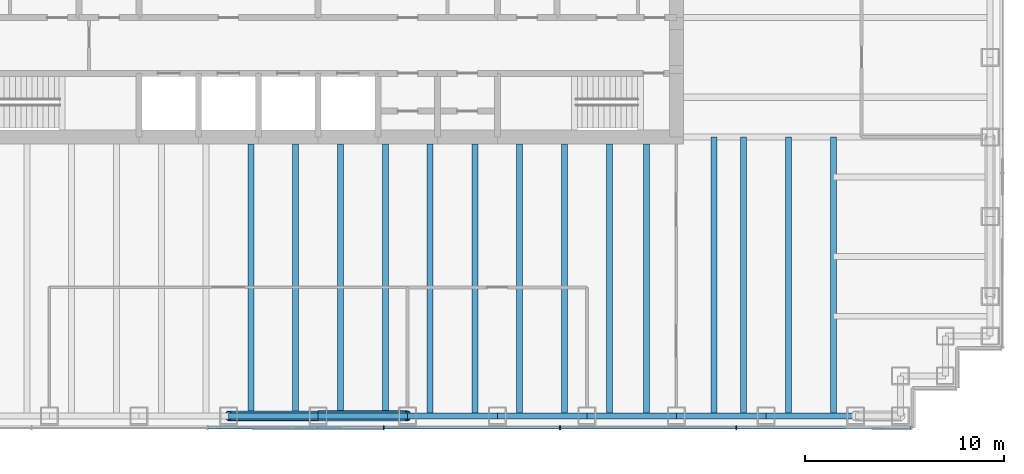
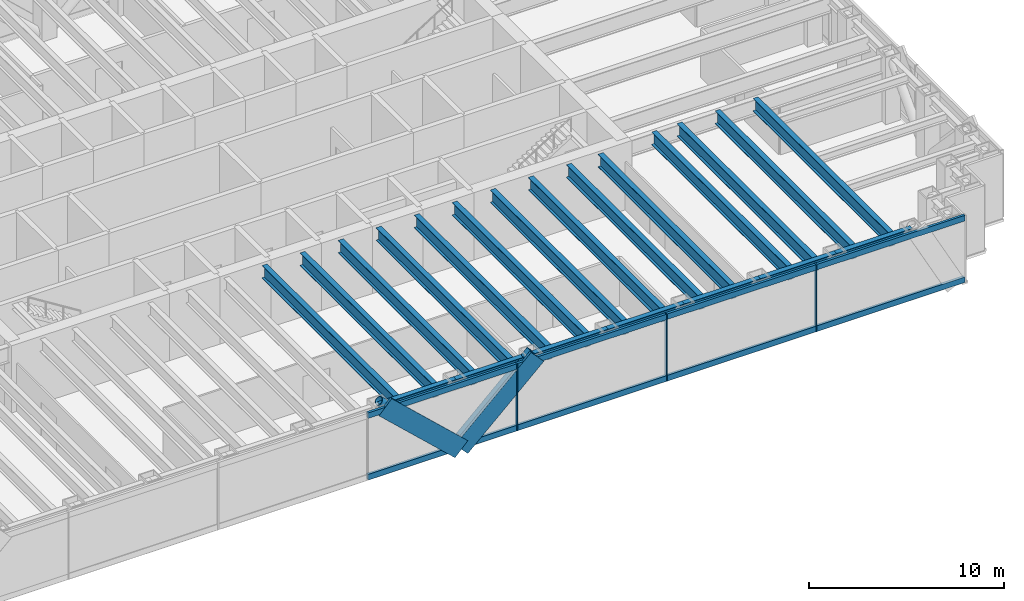
# One storey, part 4 of 17: 21 beams, 15 members, 1 element without a shape of its own.
"""IFC4 building model written with IfcOpenShell, lengths in metres."""

from ifc_helpers import new_model, si_unit, direction, frame, origin, origin_2d, place, context, subcontext, project, spatial, rectangle, hollow_circle, i_section, extrude, material, material_profile, profile_set, type_object, element, aggregate, save


model = new_model("IFC4")

# Units and contexts
model_context = context("Model", 3, precision=1e-05, world=origin(), true_north=direction((0.0, 1.0)))
body_context = subcontext(model_context, "Body", "Model", "MODEL_VIEW")
ifc_project = project(units=[si_unit("LENGTHUNIT", "METRE"), si_unit("AREAUNIT", "SQUARE_METRE"), si_unit("VOLUMEUNIT", "CUBIC_METRE"), si_unit("PLANEANGLEUNIT", "RADIAN"), si_unit("MASSUNIT", "GRAM", prefix="KILO")], contexts=[model_context])

# Site, building, storey
site_placement = place(None, origin())
site = spatial("IfcSite", under=ifc_project, at=site_placement, CompositionType="ELEMENT")
building_placement = place(site_placement, origin())
building = spatial("IfcBuilding", under=site, at=building_placement, Name="Rheinbord Bourse Tower", CompositionType="ELEMENT")
storey_placement = place(building_placement, frame((0.0, 0.0, 304.699951171875)))
storey = spatial("IfcBuildingStorey", under=building, at=storey_placement, Name="L69", CompositionType="ELEMENT", Elevation=304.699951171875)

# Curtain wall, members
ifc_material_1 = material(Name="Dark glass and black aluminium", Category="aluminium")
curtain_wall_type = type_object("IfcCurtainWallType", Name="CW3 DARK GLASS CURTAIN WALL", PredefinedType="USERDEFINED", material=ifc_material_1)
curtain_wall_placement = place(storey_placement, origin())
curtain_wall = element("IfcCurtainWall", 1, at=curtain_wall_placement, inside=storey, type_object=curtain_wall_type, Name="Curtain wall CW3 S L69", ObjectType="UNITISED CURTAIN WALL", PredefinedType="USERDEFINED")
ifc_material_2 = material(Name="Black anodised aluminium", Category="aluminium")
ifc_material_profile_1 = material_profile(ifc_material_2, rectangle(XDim=0.14990234375, YDim=1.10791015625, at=origin_2d()), Name="CW3 DIAGONAL MULLION 1108x150")
ifc_profile_set_1 = profile_set([ifc_material_profile_1], Name="Black anodised aluminium")
member_type_1 = type_object("IfcMemberType", Name="CW3 BLACK DIAGONAL MULLION", PredefinedType="USERDEFINED", material=ifc_profile_set_1)
member_1_placement = place(storey_placement, frame((36.0, 1.39990234375, 0.0), z_axis=(-0.73105922506, 0.0, 0.682314010889), x_axis=(0.0, -1.0, 0.0)))
member_1 = element("IfcMember", 2, at=member_1_placement, type_object=member_type_1, Name="CW3 diagonal mullion c", ObjectType="DIAGONAL MULLION", PredefinedType="USERDEFINED", context=body_context, shape_type="SweptSolid", body=[
    extrude(rectangle(XDim=0.14990234375, YDim=1.10791015625, at=origin_2d()), origin(), (0.0, 0.0, 1.0), 6.155517578125),
])
member_2_placement = place(storey_placement, frame((36.0, 1.39990234375, 0.0), z_axis=(0.73105922506, 0.0, 0.682314010889), x_axis=(0.0, 1.0, 0.0)))
member_2 = element("IfcMember", 3, at=member_2_placement, type_object=member_type_1, Name="CW3 diagonal mullion d", ObjectType="DIAGONAL MULLION", PredefinedType="USERDEFINED", context=body_context, shape_type="SweptSolid", body=[
    extrude(rectangle(XDim=0.14990234375, YDim=1.10791015625, at=origin_2d()), origin(), (0.0, 0.0, 1.0), 6.155517578125),
])
ifc_material_3 = material(Name="Black anodised aluminium", Category="aluminium")
ifc_material_profile_2 = material_profile(ifc_material_3, rectangle(XDim=0.199951171875, YDim=0.06494140625, at=origin_2d()), Name="CW3 MULLION 65x200")
ifc_profile_set_2 = profile_set([ifc_material_profile_2], Name="Black anodised aluminium")
member_type_2 = type_object("IfcMemberType", Name="CW3 BLACK MULLION", PredefinedType="MULLION", material=ifc_profile_set_2)
member_3_placement = place(storey_placement, frame((39.300048828125, 1.39990234375, 0.0), z_axis=(0.0, 0.0, 1.0), x_axis=(0.0, 1.0, 0.0)))
member_3 = element("IfcMember", 4, at=member_3_placement, type_object=member_type_2, Name="CW3 mullion 5", PredefinedType="MULLION", context=body_context, shape_type="SweptSolid", body=[
    extrude(rectangle(XDim=0.199951171875, YDim=0.06494140625, at=origin_2d()), origin(), (0.0, 0.0, 1.0), 4.199951171875),
])
member_4_placement = place(storey_placement, frame((48.14990234375, 1.39990234375, 0.0), z_axis=(0.0, 0.0, 1.0), x_axis=(0.0, 1.0, 0.0)))
member_4 = element("IfcMember", 5, at=member_4_placement, type_object=member_type_2, Name="CW3 mullion 6", PredefinedType="MULLION", context=body_context, shape_type="SweptSolid", body=[
    extrude(rectangle(XDim=0.199951171875, YDim=0.06494140625, at=origin_2d()), origin(), (0.0, 0.0, 1.0), 4.199951171875),
])
member_5_placement = place(storey_placement, frame((57.0, 1.39990234375, 0.0), z_axis=(0.0, 0.0, 1.0), x_axis=(0.0, 1.0, 0.0)))
member_5 = element("IfcMember", 6, at=member_5_placement, type_object=member_type_2, Name="CW3 mullion 7", PredefinedType="MULLION", context=body_context, shape_type="SweptSolid", body=[
    extrude(rectangle(XDim=0.199951171875, YDim=0.06494140625, at=origin_2d()), origin(), (0.0, 0.0, 1.0), 4.199951171875),
])
ifc_material_4 = material(Name="Black anodised aluminium", Category="aluminium")
ifc_material_profile_3 = material_profile(ifc_material_4, rectangle(XDim=0.14990234375, YDim=0.35009765625, at=origin_2d()), Name="CW3 TRANSOM 350x150")
ifc_profile_set_3 = profile_set([ifc_material_profile_3], Name="Black anodised aluminium")
member_type_3 = type_object("IfcMemberType", Name="CW3 BLACK TRANSOM", PredefinedType="USERDEFINED", material=ifc_profile_set_3)
member_6_placement = place(storey_placement, frame((30.482421875, 1.39990234375, 0.175048828125), z_axis=(1.0, 0.0, 0.0), x_axis=(0.0, 1.0, 0.0)))
member_6 = element("IfcMember", 7, at=member_6_placement, type_object=member_type_3, Name="CW3 transom 4.1", ObjectType="TRANSOM", PredefinedType="USERDEFINED", context=body_context, shape_type="SweptSolid", body=[
    extrude(rectangle(XDim=0.14990234375, YDim=0.35009765625, at=origin_2d()), origin(), (0.0, 0.0, 1.0), 8.78515625),
])
member_7_placement = place(storey_placement, frame((30.482421875, 1.39990234375, 4.025146484375), z_axis=(1.0, 0.0, 0.0), x_axis=(0.0, 1.0, 0.0)))
member_7 = element("IfcMember", 8, at=member_7_placement, type_object=member_type_3, Name="CW3 transom 4.2", ObjectType="TRANSOM", PredefinedType="USERDEFINED", context=body_context, shape_type="SweptSolid", body=[
    extrude(rectangle(XDim=0.14990234375, YDim=0.35009765625, at=origin_2d()), origin(), (0.0, 0.0, 1.0), 8.78515625),
])
member_8_placement = place(storey_placement, frame((39.33251953125, 1.39990234375, 0.175048828125), z_axis=(1.0, 0.0, 0.0), x_axis=(0.0, 1.0, 0.0)))
member_8 = element("IfcMember", 9, at=member_8_placement, type_object=member_type_3, Name="CW3 transom 5.1", ObjectType="TRANSOM", PredefinedType="USERDEFINED", context=body_context, shape_type="SweptSolid", body=[
    extrude(rectangle(XDim=0.14990234375, YDim=0.35009765625, at=origin_2d()), origin(), (0.0, 0.0, 1.0), 8.784912109375),
])
member_9_placement = place(storey_placement, frame((39.33251953125, 1.39990234375, 4.025146484375), z_axis=(1.0, 0.0, 0.0), x_axis=(0.0, 1.0, 0.0)))
member_9 = element("IfcMember", 10, at=member_9_placement, type_object=member_type_3, Name="CW3 transom 5.2", ObjectType="TRANSOM", PredefinedType="USERDEFINED", context=body_context, shape_type="SweptSolid", body=[
    extrude(rectangle(XDim=0.14990234375, YDim=0.35009765625, at=origin_2d()), origin(), (0.0, 0.0, 1.0), 8.784912109375),
])
member_10_placement = place(storey_placement, frame((48.1826171875, 1.39990234375, 0.175048828125), z_axis=(1.0, 0.0, 0.0), x_axis=(0.0, 1.0, 0.0)))
member_10 = element("IfcMember", 11, at=member_10_placement, type_object=member_type_3, Name="CW3 transom 6.1", ObjectType="TRANSOM", PredefinedType="USERDEFINED", context=body_context, shape_type="SweptSolid", body=[
    extrude(rectangle(XDim=0.14990234375, YDim=0.35009765625, at=origin_2d()), origin(), (0.0, 0.0, 1.0), 8.784912109375),
])
member_11_placement = place(storey_placement, frame((48.1826171875, 1.39990234375, 4.025146484375), z_axis=(1.0, 0.0, 0.0), x_axis=(0.0, 1.0, 0.0)))
member_11 = element("IfcMember", 12, at=member_11_placement, type_object=member_type_3, Name="CW3 transom 6.2", ObjectType="TRANSOM", PredefinedType="USERDEFINED", context=body_context, shape_type="SweptSolid", body=[
    extrude(rectangle(XDim=0.14990234375, YDim=0.35009765625, at=origin_2d()), origin(), (0.0, 0.0, 1.0), 8.784912109375),
])
member_12_placement = place(storey_placement, frame((57.032470703125, 1.39990234375, 0.175048828125), z_axis=(1.0, 0.0, 0.0), x_axis=(0.0, 1.0, 0.0)))
member_12 = element("IfcMember", 13, at=member_12_placement, type_object=member_type_3, Name="CW3 transom 7.1", ObjectType="TRANSOM", PredefinedType="USERDEFINED", context=body_context, shape_type="SweptSolid", body=[
    extrude(rectangle(XDim=0.14990234375, YDim=0.35009765625, at=origin_2d()), origin(), (0.0, 0.0, 1.0), 8.75244140625),
])
member_13_placement = place(storey_placement, frame((57.032470703125, 1.39990234375, 4.025146484375), z_axis=(1.0, 0.0, 0.0), x_axis=(0.0, 1.0, 0.0)))
member_13 = element("IfcMember", 14, at=member_13_placement, type_object=member_type_3, Name="CW3 transom 7.2", ObjectType="TRANSOM", PredefinedType="USERDEFINED", context=body_context, shape_type="SweptSolid", body=[
    extrude(rectangle(XDim=0.14990234375, YDim=0.35009765625, at=origin_2d()), origin(), (0.0, 0.0, 1.0), 8.75244140625),
])
aggregate(curtain_wall, [member_3, member_4, member_5, member_6, member_7, member_8, member_9, member_10, member_11, member_12, member_13, member_1, member_2])

# Beams
ifc_material_5 = material(Name="Steel S460", Category="steel")
ifc_material_profile_4 = material_profile(ifc_material_5, i_section(OverallWidth=0.300048828125, OverallDepth=0.800048828125, WebThickness=0.017578125, FlangeThickness=0.032958984375, at=origin_2d()), Name="HEB 800")
ifc_profile_set_4 = profile_set([ifc_material_profile_4], Name="Steel S460")
beam_type_1 = type_object("IfcBeamType", Name="FLOOR BEAM HEB 800", PredefinedType="BEAM", material=ifc_profile_set_4)
for number, where, z_axis, x_axis, name in (
    (15, (32.625, 2.0, 3.64013671875), (0.0, 1.0, 0.0), (-1.0, 0.0, 0.0), "Floor beam S-31.5a L70"),
    (16, (34.875, 2.0, 3.64013671875), (0.0, 1.0, 0.0), (-1.0, 0.0, 0.0), "Floor beam S-31.5b L70"),
    (17, (37.125, 2.0, 3.64013671875), (0.0, 1.0, 0.0), (-1.0, 0.0, 0.0), "Floor beam S-36a L70"),
    (18, (39.375, 2.0, 3.64013671875), (0.0, 1.0, 0.0), (-1.0, 0.0, 0.0), "Floor beam S-36b L70"),
    (19, (41.625, 2.0, 3.64013671875), (0.0, 1.0, 0.0), (-1.0, 0.0, 0.0), "Floor beam S-40.5a L70"),
    (20, (43.875, 2.0, 3.64013671875), (0.0, 1.0, 0.0), (-1.0, 0.0, 0.0), "Floor beam S-40.5b L70"),
    (21, (46.125, 2.0, 3.64013671875), (0.0, 1.0, 0.0), (-1.0, 0.0, 0.0), "Floor beam S-45a L70"),
    (22, (48.375, 2.0, 3.64013671875), (0.0, 1.0, 0.0), (-1.0, 0.0, 0.0), "Floor beam S-45b L70"),
    (23, (50.625, 2.0, 3.64013671875), (0.0, 1.0, 0.0), (-1.0, 0.0, 0.0), "Floor beam S-49.5a L70"),
    (24, (52.5, 2.0, 3.64013671875), (0.0, 1.0, 0.0), (-1.0, 0.0, 0.0), "Floor beam S-49.5b L70"),
):
    element("IfcBeam", number, at=place(storey_placement, frame(where, z_axis=z_axis, x_axis=x_axis)), inside=storey, type_object=beam_type_1, Name=name, PredefinedType="BEAM", context=body_context, shape_type="SweptSolid", body=[
        extrude(i_section(OverallWidth=0.300048828125, OverallDepth=0.800048828125, WebThickness=0.017578125, FlangeThickness=0.032958984375, at=origin_2d()), origin(), (0.0, 0.0, 1.0), 13.64990234375),
    ])
for number, where, z_axis, x_axis, name in (
    (25, (55.875, 2.0, 3.64013671875), (0.0, 1.0, 0.0), (-1.0, 0.0, 0.0), "Floor beam S-54a L70"),
    (26, (57.375, 2.0, 3.64013671875), (0.0, 1.0, 0.0), (-1.0, 0.0, 0.0), "Floor beam S-54b L70"),
    (27, (59.625, 2.0, 3.64013671875), (0.0, 1.0, 0.0), (-1.0, 0.0, 0.0), "Floor beam S-58.5a L70"),
    (28, (61.875, 2.0, 3.64013671875), (0.0, 1.0, 0.0), (-1.0, 0.0, 0.0), "Floor beam S-58.5b L70"),
):
    element("IfcBeam", number, at=place(storey_placement, frame(where, z_axis=z_axis, x_axis=x_axis)), inside=storey, type_object=beam_type_1, Name=name, PredefinedType="BEAM", context=body_context, shape_type="SweptSolid", body=[
        extrude(i_section(OverallWidth=0.300048828125, OverallDepth=0.800048828125, WebThickness=0.017578125, FlangeThickness=0.032958984375, at=origin_2d()), origin(), (0.0, 0.0, 1.0), 14.0),
    ])

# Members
ifc_material_6 = material(Name="Steel S460", Category="steel")
ifc_material_profile_5 = material_profile(ifc_material_6, hollow_circle(Radius=0.25390625, WallThickness=0.030029296875, at=origin_2d()), Name="CHS 508x30")
ifc_profile_set_5 = profile_set([ifc_material_profile_5], Name="Steel S460")
member_type_4 = type_object("IfcMemberType", Name="MEGABRACE CHS 508x30", PredefinedType="BRACE", material=ifc_profile_set_5)
for number, where, z_axis, x_axis, name in (
    (29, (36.0, 2.0, 0.0), (-0.73105922506, 0.0, 0.682314010889), (0.0, -1.0, 0.0), "Megabrace S face line c L69"),
    (30, (36.0, 2.0, 0.0), (0.73105922506, 0.0, 0.682314010889), (0.0, 1.0, 0.0), "Megabrace S face line d L69"),
):
    element("IfcMember", number, at=place(storey_placement, frame(where, z_axis=z_axis, x_axis=x_axis)), inside=storey, type_object=member_type_4, Name=name, PredefinedType="BRACE", context=body_context, shape_type="SweptSolid", body=[
        extrude(hollow_circle(Radius=0.25390625, WallThickness=0.030029296875, at=origin_2d()), origin(), (0.0, 0.0, 1.0), 6.155517578125),
    ])

# Beams
ifc_material_7 = material(Name="Steel S460", Category="steel")
ifc_material_profile_6 = material_profile(ifc_material_7, i_section(OverallWidth=0.300048828125, OverallDepth=0.550048828125, WebThickness=0.014892578125, FlangeThickness=0.029052734375, at=origin_2d()), Name="HEB 550")
ifc_profile_set_6 = profile_set([ifc_material_profile_6], Name="Steel S460")
beam_type_2 = type_object("IfcBeamType", Name="SPANDREL HEB 550", PredefinedType="SPANDREL", material=ifc_profile_set_6)
for number, where, z_axis, x_axis, name in (
    (31, (31.5, 2.0, 3.76513671875), (1.0, 0.0, 0.0), (0.0, 1.0, 0.0), "Spandrel S-31.5-S-36 under L70"),
    (32, (36.0, 2.0, 3.76513671875), (1.0, 0.0, 0.0), (0.0, 1.0, 0.0), "Spandrel S-36-S-40.5 under L70"),
    (33, (40.5, 2.0, 3.76513671875), (1.0, 0.0, 0.0), (0.0, 1.0, 0.0), "Spandrel S-40.5-S-45 under L70"),
    (34, (45.0, 2.0, 3.76513671875), (1.0, 0.0, 0.0), (0.0, 1.0, 0.0), "Spandrel S-45-S-49.5 under L70"),
    (35, (49.5, 2.0, 3.76513671875), (1.0, 0.0, 0.0), (0.0, 1.0, 0.0), "Spandrel S-49.5-S-54 under L70"),
    (36, (54.0, 2.0, 3.76513671875), (1.0, 0.0, 0.0), (0.0, 1.0, 0.0), "Spandrel S-54-S-58.5 under L70"),
    (37, (58.5, 2.0, 3.76513671875), (1.0, 0.0, 0.0), (0.0, 1.0, 0.0), "Spandrel S-58.5-S-63 under L70"),
):
    element("IfcBeam", number, at=place(storey_placement, frame(where, z_axis=z_axis, x_axis=x_axis)), inside=storey, type_object=beam_type_2, Name=name, PredefinedType="SPANDREL", context=body_context, shape_type="SweptSolid", body=[
        extrude(i_section(OverallWidth=0.300048828125, OverallDepth=0.550048828125, WebThickness=0.014892578125, FlangeThickness=0.029052734375, at=origin_2d()), origin(), (0.0, 0.0, 1.0), 4.5),
    ])

save(model, "model.ifc")
